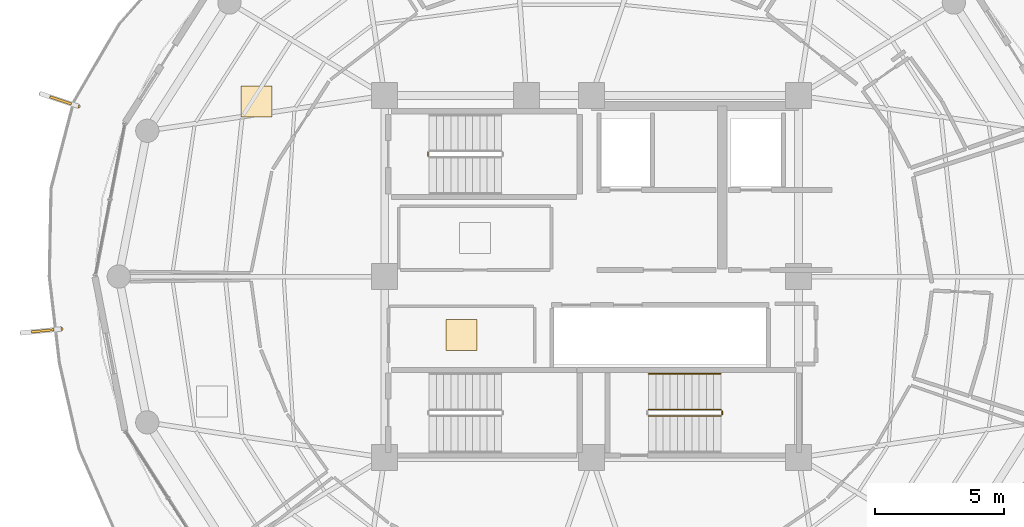
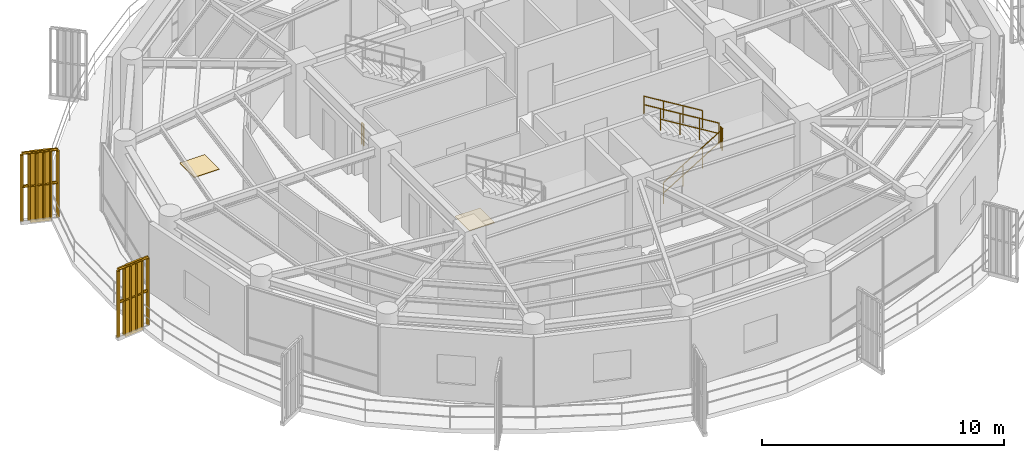
# One storey, part 20 of 22: 7 railings, 2 coverings, 2 shading devices.
"""IFC4 building model written with IfcOpenShell, lengths in metres."""

from ifc_helpers import new_model, si_unit, direction, frame, origin, origin_2d, place, context, subcontext, project, spatial, polyline, rectangle, outline, extrude, source, transform, mapped, material, layer, layer_set, type_object, element, save


model = new_model("IFC4")

# Units and contexts
model_context = context("Model", 3, precision=1e-05, world=origin(), true_north=direction((0.0, 1.0)))
body_context = subcontext(model_context, "Body", "Model", "MODEL_VIEW")
ifc_project = project(units=[si_unit("LENGTHUNIT", "METRE"), si_unit("AREAUNIT", "SQUARE_METRE"), si_unit("VOLUMEUNIT", "CUBIC_METRE"), si_unit("PLANEANGLEUNIT", "RADIAN"), si_unit("MASSUNIT", "GRAM", prefix="KILO")], contexts=[model_context])

# Site, building, storey
site_placement = place(None, origin())
site = spatial("IfcSite", under=ifc_project, at=site_placement, CompositionType="ELEMENT")
building_placement = place(site_placement, origin())
building = spatial("IfcBuilding", under=site, at=building_placement, Name="Kelanora Arch Commons", CompositionType="ELEMENT")
storey_placement = place(building_placement, frame((0.0, 0.0, 259.949951171875)))
storey = spatial("IfcBuildingStorey", under=building, at=storey_placement, Name="L66", CompositionType="ELEMENT", Elevation=259.949951171875)

# Railings
ifc_material_1 = material(Name="Anodised bronze vertical shading fin rib assembly")
railing_type_1 = type_object("IfcRailingType", Name="RAIL-FIN-BRZ", PredefinedType="BALUSTRADE", material=ifc_material_1)
railing_1_placement = place(storey_placement, frame((54.155029296875, 64.5849609375, -0.02001953125)))
element("IfcRailing", 1, at=railing_1_placement, inside=storey, type_object=railing_type_1, Name="Sweeping Bronze Vertical Fin Blade L66-08", PredefinedType="BALUSTRADE", context=body_context, shape_type="SweptSolid", body=[
    extrude(outline(polyline([(0.06982421875, 0.0), (0.034912109375, 0.060546875), (-0.034912109375, 0.060546875), (-0.06982421875, 0.0), (-0.034912109375, -0.060546875), (0.034912109375, -0.060546875), (0.06982421875, 0.0)])), frame((0.0, 0.0, 3.419921875), z_axis=(-0.949084753375, 0.315020842026, 0.0), x_axis=(-0.315020842026, -0.949084753375, 0.0)), (0.0, 0.0, 1.0), 1.517333984375),
    extrude(outline(polyline([(0.06982421875, 0.0), (0.034912109375, 0.060546875), (-0.034912109375, 0.060546875), (-0.06982421875, 0.0), (-0.034912109375, -0.060546875), (0.034912109375, -0.060546875), (0.06982421875, 0.0)])), frame((0.0, 0.0, 1.7451171875), z_axis=(-0.949084753375, 0.315020842026, 0.0), x_axis=(-0.315020842026, -0.949084753375, 0.0)), (0.0, 0.0, 1.0), 1.517333984375),
    extrude(outline(polyline([(0.080078125, 0.0), (0.0400390625, 0.0693359375), (-0.0400390625, 0.0693359375), (-0.080078125, 0.0), (-0.0400390625, -0.0693359375), (0.0400390625, -0.0693359375), (0.080078125, 0.0)])), origin(), (0.0, 0.0, 1.0), 3.35009765625),
    extrude(outline(polyline([(0.080078125, 0.0), (0.0400390625, 0.0693359375), (-0.0400390625, 0.0693359375), (-0.080078125, 0.0), (-0.0400390625, -0.0693359375), (0.0400390625, -0.0693359375), (0.080078125, 0.0)])), frame((-0.2880859375, 0.095703125, 0.0)), (0.0, 0.0, 1.0), 3.35009765625),
    extrude(outline(polyline([(0.080078125, 0.0), (0.0400390625, 0.0693359375), (-0.0400390625, 0.0693359375), (-0.080078125, 0.0), (-0.0400390625, -0.0693359375), (0.0400390625, -0.0693359375), (0.080078125, 0.0)])), frame((-0.576171875, 0.191162109375, 0.0)), (0.0, 0.0, 1.0), 3.35009765625),
    extrude(outline(polyline([(0.080078125, 0.0), (0.0400390625, 0.0693359375), (-0.0400390625, 0.0693359375), (-0.080078125, 0.0), (-0.0400390625, -0.0693359375), (0.0400390625, -0.0693359375), (0.080078125, 0.0)])), frame((-0.864013671875, 0.286865234375, 0.0)), (0.0, 0.0, 1.0), 3.35009765625),
    extrude(outline(polyline([(0.080078125, 0.0), (0.0400390625, 0.0693359375), (-0.0400390625, 0.0693359375), (-0.080078125, 0.0), (-0.0400390625, -0.0693359375), (0.0400390625, -0.0693359375), (0.080078125, 0.0)])), frame((-1.152099609375, 0.38232421875, 0.0)), (0.0, 0.0, 1.0), 3.35009765625),
    extrude(outline(polyline([(0.080078125, 0.0), (0.0400390625, 0.0693359375), (-0.0400390625, 0.0693359375), (-0.080078125, 0.0), (-0.0400390625, -0.0693359375), (0.0400390625, -0.0693359375), (0.080078125, 0.0)])), frame((-1.440185546875, 0.47802734375, 0.0)), (0.0, 0.0, 1.0), 3.35009765625),
])
railing_2_placement = place(storey_placement, frame((53.491455078125, 55.9736328125, -0.02001953125)))
element("IfcRailing", 2, at=railing_2_placement, inside=storey, type_object=railing_type_1, Name="Sweeping Bronze Vertical Fin Blade L66-09", PredefinedType="BALUSTRADE", context=body_context, shape_type="SweptSolid", body=[
    extrude(outline(polyline([(0.06982421875, 0.0), (0.034912109375, 0.060546875), (-0.034912109375, 0.060546875), (-0.06982421875, 0.0), (-0.034912109375, -0.060546875), (0.034912109375, -0.060546875), (0.06982421875, 0.0)])), frame((0.0, 0.0, 3.419921875), z_axis=(-0.995155951821, -0.098308857973, 0.0), x_axis=(0.098308857973, -0.995155951821, 0.0)), (0.0, 0.0, 1.0), 1.517333984375),
    extrude(outline(polyline([(0.06982421875, 0.0), (0.034912109375, 0.060546875), (-0.034912109375, 0.060546875), (-0.06982421875, 0.0), (-0.034912109375, -0.060546875), (0.034912109375, -0.060546875), (0.06982421875, 0.0)])), frame((0.0, 0.0, 1.7451171875), z_axis=(-0.995155951821, -0.098308857973, 0.0), x_axis=(0.098308857973, -0.995155951821, 0.0)), (0.0, 0.0, 1.0), 1.517333984375),
    extrude(outline(polyline([(0.080078125, 0.0), (0.0400390625, 0.0693359375), (-0.0400390625, 0.0693359375), (-0.080078125, 0.0), (-0.0400390625, -0.0693359375), (0.0400390625, -0.0693359375), (0.080078125, 0.0)])), origin(), (0.0, 0.0, 1.0), 3.35009765625),
    extrude(outline(polyline([(0.080078125, 0.0), (0.0400390625, 0.0693359375), (-0.0400390625, 0.0693359375), (-0.080078125, 0.0), (-0.0400390625, -0.0693359375), (0.0400390625, -0.0693359375), (0.080078125, 0.0)])), frame((-0.302001953125, -0.02978515625, 0.0)), (0.0, 0.0, 1.0), 3.35009765625),
    extrude(outline(polyline([(0.080078125, 0.0), (0.0400390625, 0.0693359375), (-0.0400390625, 0.0693359375), (-0.080078125, 0.0), (-0.0400390625, -0.0693359375), (0.0400390625, -0.0693359375), (0.080078125, 0.0)])), frame((-0.60400390625, -0.0595703125, 0.0)), (0.0, 0.0, 1.0), 3.35009765625),
    extrude(outline(polyline([(0.080078125, 0.0), (0.0400390625, 0.0693359375), (-0.0400390625, 0.0693359375), (-0.080078125, 0.0), (-0.0400390625, -0.0693359375), (0.0400390625, -0.0693359375), (0.080078125, 0.0)])), frame((-0.906005859375, -0.089599609375, 0.0)), (0.0, 0.0, 1.0), 3.35009765625),
    extrude(outline(polyline([(0.080078125, 0.0), (0.0400390625, 0.0693359375), (-0.0400390625, 0.0693359375), (-0.080078125, 0.0), (-0.0400390625, -0.0693359375), (0.0400390625, -0.0693359375), (0.080078125, 0.0)])), frame((-1.2080078125, -0.119384765625, 0.0)), (0.0, 0.0, 1.0), 3.35009765625),
    extrude(outline(polyline([(0.080078125, 0.0), (0.0400390625, 0.0693359375), (-0.0400390625, 0.0693359375), (-0.080078125, 0.0), (-0.0400390625, -0.0693359375), (0.0400390625, -0.0693359375), (0.080078125, 0.0)])), frame((-1.510009765625, -0.149169921875, 0.0)), (0.0, 0.0, 1.0), 3.35009765625),
])
ifc_material_2 = material(Name="Painted steel stair well guard", Category="steel")
railing_type_2 = type_object("IfcRailingType", Name="RAIL-STAIR-GRD", PredefinedType="GUARDRAIL", material=ifc_material_2)
railing_3_placement = place(storey_placement, frame((67.669921875, 62.659912109375, 0.0)))
element("IfcRailing", 3, at=railing_3_placement, inside=storey, type_object=railing_type_2, Name="L66 ST-T1 stair guard 4", PredefinedType="GUARDRAIL", context=body_context, shape_type="SweptSolid", body=[
    extrude(outline(polyline([(0.02392578125, 0.0), (0.011962890625, 0.020751953125), (-0.011962890625, 0.020751953125), (-0.02392578125, 0.0), (-0.011962890625, -0.020751953125), (0.011962890625, -0.020751953125), (0.02392578125, 0.0)])), frame((0.0, 0.0, 1.076171875), z_axis=(0.0, 1.0, 0.0), x_axis=(-1.0, 0.0, 0.0)), (0.0, 0.0, 1.0), 0.150146484375),
    extrude(outline(polyline([(0.02392578125, 0.0), (0.011962890625, 0.020751953125), (-0.011962890625, 0.020751953125), (-0.02392578125, 0.0), (-0.011962890625, -0.020751953125), (0.011962890625, -0.020751953125), (0.02392578125, 0.0)])), frame((0.0, 0.0, 0.550048828125), z_axis=(0.0, 1.0, 0.0), x_axis=(-1.0, 0.0, 0.0)), (0.0, 0.0, 1.0), 0.150146484375),
    extrude(outline(polyline([(0.02099609375, 0.0), (0.010498046875, 0.01806640625), (-0.010498046875, 0.01806640625), (-0.02099609375, 0.0), (-0.010498046875, -0.01806640625), (0.010498046875, -0.01806640625), (0.02099609375, 0.0)])), origin(), (0.0, 0.0, 1.0), 1.052001953125),
    extrude(outline(polyline([(0.02099609375, 0.0), (0.010498046875, 0.01806640625), (-0.010498046875, 0.01806640625), (-0.02099609375, 0.0), (-0.010498046875, -0.01806640625), (0.010498046875, -0.01806640625), (0.02099609375, 0.0)])), frame((0.0, 0.150146484375, 0.0)), (0.0, 0.0, 1.0), 1.052001953125),
])
railing_4_placement = place(storey_placement, frame((76.199951171875, 52.610107421875, 0.17041015625)))
element("IfcRailing", 4, at=railing_4_placement, inside=storey, type_object=railing_type_2, Name="L66 ST-T2 stair guard 1", PredefinedType="GUARDRAIL", context=body_context, shape_type="SweptSolid", body=[
    extrude(outline(polyline([(0.02392578125, 0.0), (0.011962890625, 0.020751953125), (-0.011962890625, 0.020751953125), (-0.02392578125, 0.0), (-0.011962890625, -0.020751953125), (0.011962890625, -0.020751953125), (0.02392578125, 0.0)])), frame((0.0, 0.0, 1.076171875), z_axis=(0.854169791009, 0.0, 0.51999420009), x_axis=(0.0, 1.0, 0.0)), (0.0, 0.0, 1.0), 3.278076171875),
    extrude(outline(polyline([(0.02392578125, 0.0), (0.011962890625, 0.020751953125), (-0.011962890625, 0.020751953125), (-0.02392578125, 0.0), (-0.011962890625, -0.020751953125), (0.011962890625, -0.020751953125), (0.02392578125, 0.0)])), frame((0.0, 0.0, 0.550048828125), z_axis=(0.854169791009, 0.0, 0.51999420009), x_axis=(0.0, 1.0, 0.0)), (0.0, 0.0, 1.0), 3.278076171875),
    extrude(outline(polyline([(0.02099609375, 0.0), (0.010498046875, 0.01806640625), (-0.010498046875, 0.01806640625), (-0.02099609375, 0.0), (-0.010498046875, -0.01806640625), (0.010498046875, -0.01806640625), (0.02099609375, 0.0)])), origin(), (0.0, 0.0, 1.0), 1.052001953125),
    extrude(outline(polyline([(0.02099609375, 0.0), (0.010498046875, 0.01806640625), (-0.010498046875, 0.01806640625), (-0.02099609375, 0.0), (-0.010498046875, -0.01806640625), (0.010498046875, -0.01806640625), (0.02099609375, 0.0)])), frame((0.933349609375, 0.0, 0.568115234375)), (0.0, 0.0, 1.0), 1.052001953125),
    extrude(outline(polyline([(0.02099609375, 0.0), (0.010498046875, 0.01806640625), (-0.010498046875, 0.01806640625), (-0.02099609375, 0.0), (-0.010498046875, -0.01806640625), (0.010498046875, -0.01806640625), (0.02099609375, 0.0)])), frame((1.86669921875, 0.0, 1.136474609375)), (0.0, 0.0, 1.0), 1.052001953125),
    extrude(outline(polyline([(0.02099609375, 0.0), (0.010498046875, 0.01806640625), (-0.010498046875, 0.01806640625), (-0.02099609375, 0.0), (-0.010498046875, -0.01806640625), (0.010498046875, -0.01806640625), (0.02099609375, 0.0)])), frame((2.800048828125, 0.0, 1.70458984375)), (0.0, 0.0, 1.0), 1.052001953125),
])
railing_5_placement = place(storey_placement, frame((79.050048828125, 52.659912109375, 1.875)))
element("IfcRailing", 5, at=railing_5_placement, inside=storey, type_object=railing_type_2, Name="L66 ST-T2 stair guard 2", PredefinedType="GUARDRAIL", context=body_context, shape_type="SweptSolid", body=[
    extrude(outline(polyline([(0.02392578125, 0.0), (0.011962890625, 0.020751953125), (-0.011962890625, 0.020751953125), (-0.02392578125, 0.0), (-0.011962890625, -0.020751953125), (0.011962890625, -0.020751953125), (0.02392578125, 0.0)])), frame((0.0, 0.0, 1.076171875), z_axis=(0.0, 1.0, 0.0), x_axis=(-1.0, 0.0, 0.0)), (0.0, 0.0, 1.0), 0.150146484375),
    extrude(outline(polyline([(0.02392578125, 0.0), (0.011962890625, 0.020751953125), (-0.011962890625, 0.020751953125), (-0.02392578125, 0.0), (-0.011962890625, -0.020751953125), (0.011962890625, -0.020751953125), (0.02392578125, 0.0)])), frame((0.0, 0.0, 0.550048828125), z_axis=(0.0, 1.0, 0.0), x_axis=(-1.0, 0.0, 0.0)), (0.0, 0.0, 1.0), 0.150146484375),
    extrude(outline(polyline([(0.02099609375, 0.0), (0.010498046875, 0.01806640625), (-0.010498046875, 0.01806640625), (-0.02099609375, 0.0), (-0.010498046875, -0.01806640625), (0.010498046875, -0.01806640625), (0.02099609375, 0.0)])), origin(), (0.0, 0.0, 1.0), 1.052001953125),
    extrude(outline(polyline([(0.02099609375, 0.0), (0.010498046875, 0.01806640625), (-0.010498046875, 0.01806640625), (-0.02099609375, 0.0), (-0.010498046875, -0.01806640625), (0.010498046875, -0.01806640625), (0.02099609375, 0.0)])), frame((0.0, 0.150146484375, 0.0)), (0.0, 0.0, 1.0), 1.052001953125),
])
railing_6_placement = place(storey_placement, frame((79.0, 52.860107421875, 2.04541015625)))
element("IfcRailing", 6, at=railing_6_placement, inside=storey, type_object=railing_type_2, Name="L66 ST-T2 stair guard 3", PredefinedType="GUARDRAIL", context=body_context, shape_type="SweptSolid", body=[
    extrude(outline(polyline([(0.02392578125, 0.0), (0.011962890625, 0.020751953125), (-0.011962890625, 0.020751953125), (-0.02392578125, 0.0), (-0.011962890625, -0.020751953125), (0.011962890625, -0.020751953125), (0.02392578125, 0.0)])), frame((0.0, 0.0, 1.076171875), z_axis=(-0.854169791009, 0.0, 0.51999420009), x_axis=(0.0, -1.0, 0.0)), (0.0, 0.0, 1.0), 3.278076171875),
    extrude(outline(polyline([(0.02392578125, 0.0), (0.011962890625, 0.020751953125), (-0.011962890625, 0.020751953125), (-0.02392578125, 0.0), (-0.011962890625, -0.020751953125), (0.011962890625, -0.020751953125), (0.02392578125, 0.0)])), frame((0.0, 0.0, 0.550048828125), z_axis=(-0.854169791009, 0.0, 0.51999420009), x_axis=(0.0, -1.0, 0.0)), (0.0, 0.0, 1.0), 3.278076171875),
    extrude(outline(polyline([(0.02099609375, 0.0), (0.010498046875, 0.01806640625), (-0.010498046875, 0.01806640625), (-0.02099609375, 0.0), (-0.010498046875, -0.01806640625), (0.010498046875, -0.01806640625), (0.02099609375, 0.0)])), origin(), (0.0, 0.0, 1.0), 1.052001953125),
    extrude(outline(polyline([(0.02099609375, 0.0), (0.010498046875, 0.01806640625), (-0.010498046875, 0.01806640625), (-0.02099609375, 0.0), (-0.010498046875, -0.01806640625), (0.010498046875, -0.01806640625), (0.02099609375, 0.0)])), frame((-0.933349609375, 0.0, 0.568115234375)), (0.0, 0.0, 1.0), 1.052001953125),
    extrude(outline(polyline([(0.02099609375, 0.0), (0.010498046875, 0.01806640625), (-0.010498046875, 0.01806640625), (-0.02099609375, 0.0), (-0.010498046875, -0.01806640625), (0.010498046875, -0.01806640625), (0.02099609375, 0.0)])), frame((-1.86669921875, 0.0, 1.136474609375)), (0.0, 0.0, 1.0), 1.052001953125),
    extrude(outline(polyline([(0.02099609375, 0.0), (0.010498046875, 0.01806640625), (-0.010498046875, 0.01806640625), (-0.02099609375, 0.0), (-0.010498046875, -0.01806640625), (0.010498046875, -0.01806640625), (0.02099609375, 0.0)])), frame((-2.800048828125, 0.0, 1.70458984375)), (0.0, 0.0, 1.0), 1.052001953125),
])
ifc_material_3 = material(Name="Brushed stainless steel stair handrail", Category="steel")
railing_type_3 = type_object("IfcRailingType", Name="RAIL-STAIR-HND", PredefinedType="HANDRAIL", material=ifc_material_3)
railing_7_placement = place(storey_placement, frame((79.0, 54.239990234375, 2.04541015625)))
element("IfcRailing", 7, at=railing_7_placement, inside=storey, type_object=railing_type_3, Name="L66 ST-T2 stair handrail 2", PredefinedType="HANDRAIL", context=body_context, shape_type="SweptSolid", body=[
    extrude(outline(polyline([(0.02392578125, 0.0), (0.011962890625, 0.020751953125), (-0.011962890625, 0.020751953125), (-0.02392578125, 0.0), (-0.011962890625, -0.020751953125), (0.011962890625, -0.020751953125), (0.02392578125, 0.0)])), frame((0.0, 0.0, 0.8759765625), z_axis=(-0.854169791009, 0.0, 0.51999420009), x_axis=(0.0, -1.0, 0.0)), (0.0, 0.0, 1.0), 3.278076171875),
    extrude(outline(polyline([(0.02392578125, 0.0), (0.011962890625, 0.020751953125), (-0.011962890625, 0.020751953125), (-0.02392578125, 0.0), (-0.011962890625, -0.020751953125), (0.011962890625, -0.020751953125), (0.02392578125, 0.0)])), frame((0.0, 0.0, 0.449951171875), z_axis=(-0.854169791009, 0.0, 0.51999420009), x_axis=(0.0, -1.0, 0.0)), (0.0, 0.0, 1.0), 3.278076171875),
    extrude(outline(polyline([(0.02099609375, 0.0), (0.010498046875, 0.01806640625), (-0.010498046875, 0.01806640625), (-0.02099609375, 0.0), (-0.010498046875, -0.01806640625), (0.010498046875, -0.01806640625), (0.02099609375, 0.0)])), origin(), (0.0, 0.0, 1.0), 0.851806640625),
    extrude(outline(polyline([(0.02099609375, 0.0), (0.010498046875, 0.01806640625), (-0.010498046875, 0.01806640625), (-0.02099609375, 0.0), (-0.010498046875, -0.01806640625), (0.010498046875, -0.01806640625), (0.02099609375, 0.0)])), frame((-0.933349609375, 0.0, 0.568115234375)), (0.0, 0.0, 1.0), 0.851806640625),
    extrude(outline(polyline([(0.02099609375, 0.0), (0.010498046875, 0.01806640625), (-0.010498046875, 0.01806640625), (-0.02099609375, 0.0), (-0.010498046875, -0.01806640625), (0.010498046875, -0.01806640625), (0.02099609375, 0.0)])), frame((-1.86669921875, 0.0, 1.136474609375)), (0.0, 0.0, 1.0), 0.851806640625),
    extrude(outline(polyline([(0.02099609375, 0.0), (0.010498046875, 0.01806640625), (-0.010498046875, 0.01806640625), (-0.02099609375, 0.0), (-0.010498046875, -0.01806640625), (0.010498046875, -0.01806640625), (0.02099609375, 0.0)])), frame((-2.800048828125, 0.0, 1.70458984375)), (0.0, 0.0, 1.0), 0.851806640625),
])

# Shading devices
ifc_material_4 = material(Name="Terracotta ceramic-clad extruded aluminium fin", Category="masonry")
shading_device_type = type_object("IfcShadingDeviceType", Name="SHD-FIN-FLARE", PredefinedType="USERDEFINED", material=ifc_material_4)
shared_shape_1 = source(origin(), body_context, "Body", "SweptSolid", [
    extrude(rectangle(XDim=0.8798828125, YDim=0.090087890625, at=origin_2d()), origin(), (0.0, 0.0, 1.0), 3.610107421875),
])
for number, where, z_axis, x_axis, name in (
    (8, (53.4716796875, 64.811767578125, -0.14013671875), (0.0, 0.0, 1.0), (-0.94909614499, 0.314986519655, 0.0), "Sweeping Terracotta Fin L66-08"),
    (9, (52.77490234375, 55.90283203125, -0.14013671875), (0.0, 0.0, 1.0), (-0.995159031741, -0.09827767572, 0.0), "Sweeping Terracotta Fin L66-09"),
):
    element("IfcShadingDevice", number, at=place(storey_placement, frame(where, z_axis=z_axis, x_axis=x_axis)), inside=storey, type_object=shading_device_type, Name=name, ObjectType="FIN", PredefinedType="USERDEFINED", context=body_context, shape_type="MappedRepresentation", body=[
        mapped(shared_shape_1, transform((0.0, 0.0, 0.0), scale=1.0)),
    ])

# Coverings
ifc_material_5 = material(Name="Polished local granite terrazzo flooring", Category="masonry")
ifc_layer = layer(ifc_material_5, 0.030029296875)
ifc_layer_set = layer_set([ifc_layer], Name="Polished local granite terrazzo flooring")
covering_type = type_object("IfcCoveringType", Name="COV-FLR-TER", PredefinedType="FLOORING", material=ifc_layer_set)
shared_shape_2 = source(origin(), body_context, "Body", "SweptSolid", [
    extrude(rectangle(XDim=1.199951171875, YDim=1.199951171875, at=origin_2d()), origin(), (0.0, 0.0, 1.0), 0.030029296875),
])
for number, where, z_axis, x_axis, name in (
    (10, (68.97509765625, 55.735107421875, 0.0), (0.0, 0.0, 1.0), (1.0, 0.0, 0.0), "Reclaimed Core High-Zone Pantry and Copy Room L66 Terrazzo Finish"),
    (11, (61.037841796875, 64.763916015625, 0.0), (0.0, 0.0, 1.0), (1.0, 0.0, 0.0), "Communal Dining and Social Hall L66-03 Terrazzo Finish"),
):
    element("IfcCovering", number, at=place(storey_placement, frame(where, z_axis=z_axis, x_axis=x_axis)), inside=storey, type_object=covering_type, Name=name, PredefinedType="FLOORING", context=body_context, shape_type="MappedRepresentation", body=[
        mapped(shared_shape_2, transform((0.0, 0.0, 0.0), scale=1.0)),
    ])

save(model, "model.ifc")
